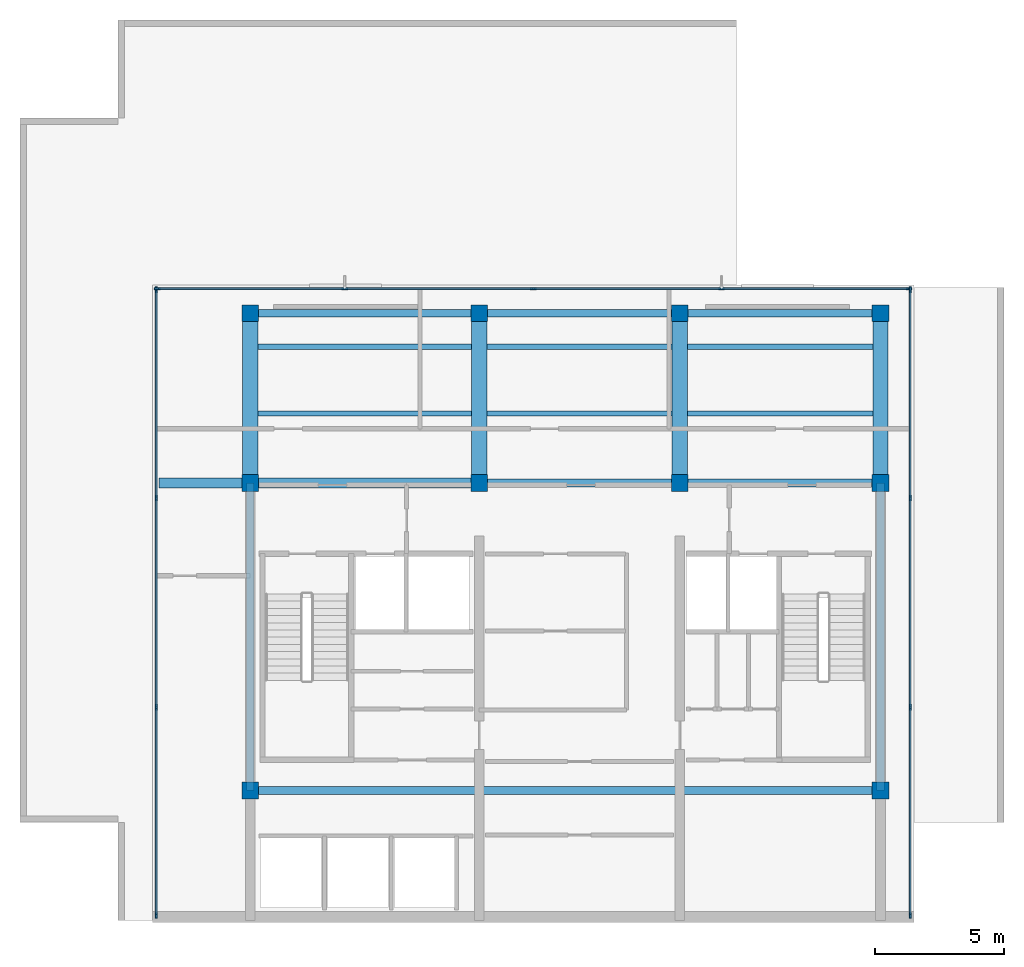
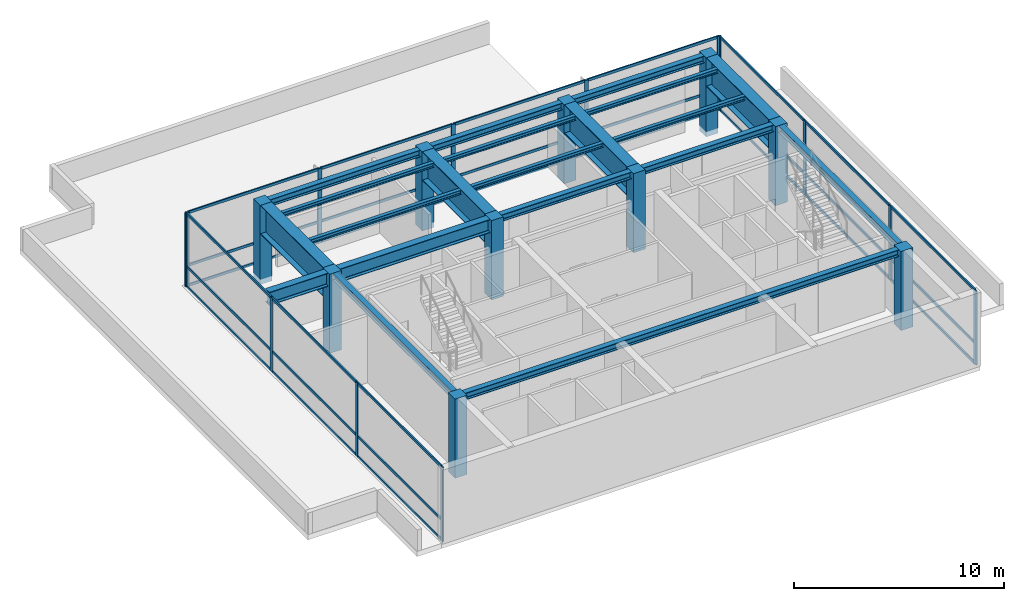
# One storey, part 1 of 6: 43 members, 19 beams, 10 columns, 3 elements without a shape of their own.
"""IFC4 building model written with IfcOpenShell, lengths in metres."""

from ifc_helpers import new_model, si_unit, direction, frame, origin, origin_2d, place, context, subcontext, project, spatial, rectangle, i_section, extrude, material, layer, layer_set, material_profile, profile_set, type_object, element, aggregate, save


model = new_model("IFC4")

# Units and contexts
model_context = context("Model", 3, precision=1e-05, world=origin(), true_north=direction((0.0, 1.0)))
body_context = subcontext(model_context, "Body", "Model", "MODEL_VIEW")
ifc_project = project(units=[si_unit("LENGTHUNIT", "METRE"), si_unit("AREAUNIT", "SQUARE_METRE"), si_unit("VOLUMEUNIT", "CUBIC_METRE"), si_unit("PLANEANGLEUNIT", "RADIAN"), si_unit("MASSUNIT", "GRAM", prefix="KILO")], contexts=[model_context])

# Site, building, storey
site_placement = place(None, origin())
site = spatial("IfcSite", under=ifc_project, at=site_placement, CompositionType="ELEMENT")
building_placement = place(site_placement, origin())
building = spatial("IfcBuilding", under=site, at=building_placement, Name="Qalmaran Belvedere Hotel", CompositionType="ELEMENT")
storey_placement = place(building_placement, frame((0.0, 0.0, 298.699951171875)))
storey = spatial("IfcBuildingStorey", under=building, at=storey_placement, Name="C01", CompositionType="ELEMENT", Elevation=298.699951171875)

# Columns
ifc_material_1 = material(Name="Concrete C50/60", Category="concrete")
ifc_material_profile_1 = material_profile(ifc_material_1, rectangle(XDim=0.64990234375, YDim=0.64990234375, at=origin_2d()), Name="CC650X650")
ifc_profile_set_1 = profile_set([ifc_material_profile_1], Name="Concrete C50/60")
column_type = type_object("IfcColumnType", Name="COL-CRN-CC650", PredefinedType="COLUMN", material=ifc_profile_set_1)
for number, where, z_axis, x_axis, name in (
    (1, (20.300048828125, 8.550048828125, -0.300048828125), (0.0, 0.0, 1.0), (1.0, 0.0, 0.0), "C01 Column C4C"),
    (2, (44.800048828125, 8.550048828125, -0.300048828125), (0.0, 0.0, 1.0), (1.0, 0.0, 0.0), "C01 Column C7C"),
    (3, (20.300048828125, 20.5, -0.300048828125), (0.0, 0.0, 1.0), (1.0, 0.0, 0.0), "C01 Column C4D"),
    (4, (29.199951171875, 20.5, -0.300048828125), (0.0, 0.0, 1.0), (1.0, 0.0, 0.0), "C01 Column C5D"),
    (5, (37.0, 20.5, -0.300048828125), (0.0, 0.0, 1.0), (1.0, 0.0, 0.0), "C01 Column C6D"),
    (6, (44.800048828125, 20.5, -0.300048828125), (0.0, 0.0, 1.0), (1.0, 0.0, 0.0), "C01 Column C7D"),
    (7, (20.300048828125, 27.10009765625, -0.300048828125), (0.0, 0.0, 1.0), (1.0, 0.0, 0.0), "C01 Column CN1"),
    (8, (29.199951171875, 27.10009765625, -0.300048828125), (0.0, 0.0, 1.0), (1.0, 0.0, 0.0), "C01 Column CN2"),
    (9, (37.0, 27.10009765625, -0.300048828125), (0.0, 0.0, 1.0), (1.0, 0.0, 0.0), "C01 Column CN3"),
    (10, (44.800048828125, 27.10009765625, -0.300048828125), (0.0, 0.0, 1.0), (1.0, 0.0, 0.0), "C01 Column CN4"),
):
    element("IfcColumn", number, at=place(storey_placement, frame(where, z_axis=z_axis, x_axis=x_axis)), inside=storey, type_object=column_type, Name=name, PredefinedType="COLUMN", context=body_context, shape_type="SweptSolid", body=[
        extrude(rectangle(XDim=0.64990234375, YDim=0.64990234375, at=origin_2d()), origin(), (0.0, 0.0, 1.0), 4.60009765625),
    ])

# Beams
ifc_material_2 = material(Name="Steel S355JR", Category="steel")
ifc_material_profile_2 = material_profile(ifc_material_2, i_section(OverallWidth=0.300048828125, OverallDepth=0.39990234375, WebThickness=0.013427734375, FlangeThickness=0.02392578125, FilletRadius=0.027099609375, at=origin_2d()), Name="HEB400")
ifc_profile_set_2 = profile_set([ifc_material_profile_2], Name="Steel S355JR")
beam_type_1 = type_object("IfcBeamType", Name="BM-CRN-HEB400", PredefinedType="BEAM", material=ifc_profile_set_2)
beam_1_placement = place(storey_placement, frame((20.300048828125, 8.550048828125, 4.10009765625), z_axis=(1.0, 0.0, 0.0), x_axis=(0.0, 1.0, 0.0)))
element("IfcBeam", 11, at=beam_1_placement, inside=storey, type_object=beam_type_1, Name="C01 Crown Frame Beam X01", PredefinedType="BEAM", context=body_context, shape_type="SweptSolid", body=[
    extrude(i_section(OverallWidth=0.300048828125, OverallDepth=0.39990234375, WebThickness=0.013427734375, FlangeThickness=0.02392578125, FilletRadius=0.027099609375, at=origin_2d()), origin(), (0.0, 0.0, 1.0), 24.5),
])
for number, where, z_axis, x_axis, name in (
    (12, (29.199951171875, 20.5, 4.10009765625), (1.0, 0.0, 0.0), (0.0, 1.0, 0.0), "C01 Crown Frame Beam X03"),
    (13, (37.0, 20.5, 4.10009765625), (1.0, 0.0, 0.0), (0.0, 1.0, 0.0), "C01 Crown Frame Beam X04"),
):
    element("IfcBeam", number, at=place(storey_placement, frame(where, z_axis=z_axis, x_axis=x_axis)), inside=storey, type_object=beam_type_1, Name=name, PredefinedType="BEAM", context=body_context, shape_type="SweptSolid", body=[
        extrude(i_section(OverallWidth=0.300048828125, OverallDepth=0.39990234375, WebThickness=0.013427734375, FlangeThickness=0.02392578125, FilletRadius=0.027099609375, at=origin_2d()), origin(), (0.0, 0.0, 1.0), 7.800048828125),
    ])
beam_2_placement = place(storey_placement, frame((20.300048828125, 27.10009765625, 4.10009765625), z_axis=(1.0, 0.0, 0.0), x_axis=(0.0, 1.0, 0.0)))
element("IfcBeam", 14, at=beam_2_placement, inside=storey, type_object=beam_type_1, Name="C01 Crown Frame Beam X05", PredefinedType="BEAM", context=body_context, shape_type="SweptSolid", body=[
    extrude(i_section(OverallWidth=0.300048828125, OverallDepth=0.39990234375, WebThickness=0.013427734375, FlangeThickness=0.02392578125, FilletRadius=0.027099609375, at=origin_2d()), origin(), (0.0, 0.0, 1.0), 8.89990234375),
])
for number, where, z_axis, x_axis, name in (
    (15, (29.199951171875, 27.10009765625, 4.10009765625), (1.0, 0.0, 0.0), (0.0, 1.0, 0.0), "C01 Crown Frame Beam X06"),
    (16, (37.0, 27.10009765625, 4.10009765625), (1.0, 0.0, 0.0), (0.0, 1.0, 0.0), "C01 Crown Frame Beam X07"),
):
    element("IfcBeam", number, at=place(storey_placement, frame(where, z_axis=z_axis, x_axis=x_axis)), inside=storey, type_object=beam_type_1, Name=name, PredefinedType="BEAM", context=body_context, shape_type="SweptSolid", body=[
        extrude(i_section(OverallWidth=0.300048828125, OverallDepth=0.39990234375, WebThickness=0.013427734375, FlangeThickness=0.02392578125, FilletRadius=0.027099609375, at=origin_2d()), origin(), (0.0, 0.0, 1.0), 7.800048828125),
    ])
for number, where, z_axis, x_axis, name in (
    (17, (20.300048828125, 8.550048828125, 4.10009765625), (0.0, 1.0, 0.0), (-1.0, 0.0, 0.0), "C01 Crown Frame Beam Y08"),
    (18, (44.800048828125, 8.550048828125, 4.10009765625), (0.0, 1.0, 0.0), (-1.0, 0.0, 0.0), "C01 Crown Frame Beam Y12"),
):
    element("IfcBeam", number, at=place(storey_placement, frame(where, z_axis=z_axis, x_axis=x_axis)), inside=storey, type_object=beam_type_1, Name=name, PredefinedType="BEAM", context=body_context, shape_type="SweptSolid", body=[
        extrude(i_section(OverallWidth=0.300048828125, OverallDepth=0.39990234375, WebThickness=0.013427734375, FlangeThickness=0.02392578125, FilletRadius=0.027099609375, at=origin_2d()), origin(), (0.0, 0.0, 1.0), 11.949951171875),
    ])
ifc_material_profile_3 = material_profile(ifc_material_2, i_section(OverallWidth=0.201904296875, OverallDepth=0.2470703125, WebThickness=0.00732421875, FlangeThickness=0.010986328125, FilletRadius=0.011962890625, at=origin_2d()), Name="W250X49")
ifc_profile_set_3 = profile_set([ifc_material_profile_3], Name="Steel S355JR")
beam_type_2 = type_object("IfcBeamType", Name="BM-JST-W250X49", PredefinedType="JOIST", material=ifc_profile_set_3)
beam_3_placement = place(storey_placement, frame((20.597900390625, 23.199951171875, 4.176513671875), z_axis=(1.0, 0.0, 0.0), x_axis=(0.0, 1.0, 0.0)))
element("IfcBeam", 19, at=beam_3_placement, inside=storey, type_object=beam_type_2, Name="C01 Crown Plant Deck Joist 14", PredefinedType="JOIST", context=body_context, shape_type="SweptSolid", body=[
    extrude(i_section(OverallWidth=0.201904296875, OverallDepth=0.2470703125, WebThickness=0.00732421875, FlangeThickness=0.010986328125, FilletRadius=0.011962890625, at=origin_2d()), origin(), (0.0, 0.0, 1.0), 8.30419921875),
])
for number, where, z_axis, x_axis, name in (
    (20, (29.498046875, 23.199951171875, 4.176513671875), (1.0, 0.0, 0.0), (0.0, 1.0, 0.0), "C01 Crown Plant Deck Joist 15"),
    (21, (37.298095703125, 23.199951171875, 4.176513671875), (1.0, 0.0, 0.0), (0.0, 1.0, 0.0), "C01 Crown Plant Deck Joist 16"),
):
    element("IfcBeam", number, at=place(storey_placement, frame(where, z_axis=z_axis, x_axis=x_axis)), inside=storey, type_object=beam_type_2, Name=name, PredefinedType="JOIST", context=body_context, shape_type="SweptSolid", body=[
        extrude(i_section(OverallWidth=0.201904296875, OverallDepth=0.2470703125, WebThickness=0.00732421875, FlangeThickness=0.010986328125, FilletRadius=0.011962890625, at=origin_2d()), origin(), (0.0, 0.0, 1.0), 7.203857421875),
    ])
beam_4_placement = place(storey_placement, frame((20.597900390625, 25.800048828125, 4.176513671875), z_axis=(1.0, 0.0, 0.0), x_axis=(0.0, 1.0, 0.0)))
element("IfcBeam", 22, at=beam_4_placement, inside=storey, type_object=beam_type_2, Name="C01 Crown Plant Deck Joist 17", PredefinedType="JOIST", context=body_context, shape_type="SweptSolid", body=[
    extrude(i_section(OverallWidth=0.201904296875, OverallDepth=0.2470703125, WebThickness=0.00732421875, FlangeThickness=0.010986328125, FilletRadius=0.011962890625, at=origin_2d()), origin(), (0.0, 0.0, 1.0), 8.30419921875),
])
for number, where, z_axis, x_axis, name in (
    (23, (29.498046875, 25.800048828125, 4.176513671875), (1.0, 0.0, 0.0), (0.0, 1.0, 0.0), "C01 Crown Plant Deck Joist 18"),
    (24, (37.298095703125, 25.800048828125, 4.176513671875), (1.0, 0.0, 0.0), (0.0, 1.0, 0.0), "C01 Crown Plant Deck Joist 19"),
):
    element("IfcBeam", number, at=place(storey_placement, frame(where, z_axis=z_axis, x_axis=x_axis)), inside=storey, type_object=beam_type_2, Name=name, PredefinedType="JOIST", context=body_context, shape_type="SweptSolid", body=[
        extrude(i_section(OverallWidth=0.201904296875, OverallDepth=0.2470703125, WebThickness=0.00732421875, FlangeThickness=0.010986328125, FilletRadius=0.011962890625, at=origin_2d()), origin(), (0.0, 0.0, 1.0), 7.203857421875),
    ])
ifc_material_profile_4 = material_profile(ifc_material_2, i_section(OverallWidth=0.381103515625, OverallDepth=0.77294921875, WebThickness=0.0166015625, FlangeThickness=0.027099609375, FilletRadius=0.02197265625, at=origin_2d()), Name="W760X257")
ifc_profile_set_4 = profile_set([ifc_material_profile_4], Name="Steel S355JR")
beam_type_3 = type_object("IfcBeamType", Name="BM-PG4-W760X257", PredefinedType="USERDEFINED", material=ifc_profile_set_4)
beam_5_placement = place(storey_placement, frame((16.75, 20.5, 3.91357421875), z_axis=(1.0, 0.0, 0.0), x_axis=(0.0, 1.0, 0.0)))
element("IfcBeam", 25, at=beam_5_placement, inside=storey, type_object=beam_type_3, Name="C01 Crown Back-Spanned Overhang Girder 02", ObjectType="GIRDER", PredefinedType="USERDEFINED", context=body_context, shape_type="SweptSolid", body=[
    extrude(i_section(OverallWidth=0.381103515625, OverallDepth=0.77294921875, WebThickness=0.0166015625, FlangeThickness=0.027099609375, FilletRadius=0.02197265625, at=origin_2d()), origin(), (0.0, 0.0, 1.0), 12.449951171875),
])
ifc_material_profile_5 = material_profile(ifc_material_2, i_section(OverallWidth=0.60009765625, OverallDepth=1.679931640625, WebThickness=0.02587890625, FlangeThickness=0.035888671875, at=origin_2d()), Name="PG1680X600X36")
ifc_profile_set_5 = profile_set([ifc_material_profile_5], Name="Steel S355JR")
beam_type_4 = type_object("IfcBeamType", Name="BM-TG5-PG1680X600", PredefinedType="USERDEFINED", material=ifc_profile_set_5)
for number, where, z_axis, x_axis, name in (
    (26, (20.300048828125, 20.5, 3.4599609375), (0.0, 1.0, 0.0), (-1.0, 0.0, 0.0), "C01 Crown Frame Beam Y09"),
    (27, (29.199951171875, 20.5, 3.4599609375), (0.0, 1.0, 0.0), (-1.0, 0.0, 0.0), "C01 Crown Frame Beam Y10"),
    (28, (37.0, 20.5, 3.4599609375), (0.0, 1.0, 0.0), (-1.0, 0.0, 0.0), "C01 Crown Frame Beam Y11"),
    (29, (44.800048828125, 20.5, 3.4599609375), (0.0, 1.0, 0.0), (-1.0, 0.0, 0.0), "C01 Crown Frame Beam Y13"),
):
    element("IfcBeam", number, at=place(storey_placement, frame(where, z_axis=z_axis, x_axis=x_axis)), inside=storey, type_object=beam_type_4, Name=name, ObjectType="GIRDER", PredefinedType="USERDEFINED", context=body_context, shape_type="SweptSolid", body=[
        extrude(i_section(OverallWidth=0.60009765625, OverallDepth=1.679931640625, WebThickness=0.02587890625, FlangeThickness=0.035888671875, at=origin_2d()), origin(), (0.0, 0.0, 1.0), 6.60009765625),
    ])

# Curtain wall, members
ifc_material_3 = material(Name="Anodised Bronze Aluminium", Category="aluminium")
ifc_layer = layer(ifc_material_3, 0.205078125, Name="Anodised Bronze Aluminium")
ifc_layer_set = layer_set([ifc_layer], Name="Anodised Bronze Aluminium")
curtain_wall_type = type_object("IfcCurtainWallType", Name="CW7-CROWN-BELVEDERE", PredefinedType="NOTDEFINED", material=ifc_layer_set)
curtain_wall_1_placement = place(storey_placement, origin())
curtain_wall_1 = element("IfcCurtainWall", 30, at=curtain_wall_1_placement, inside=storey, type_object=curtain_wall_type, Name="C01 Curtain Wall CW7", PredefinedType="NOTDEFINED")
ifc_material_profile_6 = material_profile(ifc_material_3, rectangle(XDim=0.074951171875, YDim=0.219970703125, at=origin_2d()), Name="CWM75X220")
ifc_profile_set_6 = profile_set([ifc_material_profile_6], Name="Anodised Bronze Aluminium")
member_type_1 = type_object("IfcMemberType", Name="CWM-75X220", PredefinedType="MULLION", material=ifc_profile_set_6)
member_1_placement = place(storey_placement, frame((45.91259765625, 28.050048828125, 0.0), z_axis=(0.0, 0.0, 1.0), x_axis=(0.0, -1.0, 0.0)))
member_1 = element("IfcMember", 31, at=member_1_placement, type_object=member_type_1, Name="CW7 mullion 1", PredefinedType="MULLION", context=body_context, shape_type="SweptSolid", body=[
    extrude(rectangle(XDim=0.074951171875, YDim=0.219970703125, at=origin_2d()), origin(), (0.0, 0.0, 1.0), 4.300048828125),
])
member_2_placement = place(storey_placement, frame((38.625, 28.050048828125, 0.0), z_axis=(0.0, 0.0, 1.0), x_axis=(0.0, -1.0, 0.0)))
member_2 = element("IfcMember", 32, at=member_2_placement, type_object=member_type_1, Name="CW7 mullion 2", PredefinedType="MULLION", context=body_context, shape_type="SweptSolid", body=[
    extrude(rectangle(XDim=0.074951171875, YDim=0.219970703125, at=origin_2d()), origin(), (0.0, 0.0, 1.0), 4.300048828125),
])
member_3_placement = place(storey_placement, frame((31.300048828125, 28.050048828125, 0.0), z_axis=(0.0, 0.0, 1.0), x_axis=(0.0, -1.0, 0.0)))
member_3 = element("IfcMember", 33, at=member_3_placement, type_object=member_type_1, Name="CW7 mullion 3", PredefinedType="MULLION", context=body_context, shape_type="SweptSolid", body=[
    extrude(rectangle(XDim=0.074951171875, YDim=0.219970703125, at=origin_2d()), origin(), (0.0, 0.0, 1.0), 4.300048828125),
])
member_4_placement = place(storey_placement, frame((23.97509765625, 28.050048828125, 0.0), z_axis=(0.0, 0.0, 1.0), x_axis=(0.0, -1.0, 0.0)))
member_4 = element("IfcMember", 34, at=member_4_placement, type_object=member_type_1, Name="CW7 mullion 4", PredefinedType="MULLION", context=body_context, shape_type="SweptSolid", body=[
    extrude(rectangle(XDim=0.074951171875, YDim=0.219970703125, at=origin_2d()), origin(), (0.0, 0.0, 1.0), 4.300048828125),
])
member_5_placement = place(storey_placement, frame((16.6875, 28.050048828125, 0.0), z_axis=(0.0, 0.0, 1.0), x_axis=(0.0, -1.0, 0.0)))
member_5 = element("IfcMember", 35, at=member_5_placement, type_object=member_type_1, Name="CW7 mullion 5", PredefinedType="MULLION", context=body_context, shape_type="SweptSolid", body=[
    extrude(rectangle(XDim=0.074951171875, YDim=0.219970703125, at=origin_2d()), origin(), (0.0, 0.0, 1.0), 4.300048828125),
])

curtain_wall_2_placement = place(storey_placement, origin())
curtain_wall_2 = element("IfcCurtainWall", 36, at=curtain_wall_2_placement, inside=storey, type_object=curtain_wall_type, Name="C01 Curtain Wall CW7", PredefinedType="NOTDEFINED")
member_6_placement = place(storey_placement, frame((16.64990234375, 28.012451171875, 0.0), z_axis=(0.0, 0.0, 1.0), x_axis=(1.0, 0.0, 0.0)))
member_6 = element("IfcMember", 37, at=member_6_placement, type_object=member_type_1, Name="CW7 mullion 1", PredefinedType="MULLION", context=body_context, shape_type="SweptSolid", body=[
    extrude(rectangle(XDim=0.074951171875, YDim=0.219970703125, at=origin_2d()), origin(), (0.0, 0.0, 1.0), 4.300048828125),
])
member_7_placement = place(storey_placement, frame((16.64990234375, 19.916748046875, 0.0), z_axis=(0.0, 0.0, 1.0), x_axis=(1.0, 0.0, 0.0)))
member_7 = element("IfcMember", 38, at=member_7_placement, type_object=member_type_1, Name="CW7 mullion 2", PredefinedType="MULLION", context=body_context, shape_type="SweptSolid", body=[
    extrude(rectangle(XDim=0.074951171875, YDim=0.219970703125, at=origin_2d()), origin(), (0.0, 0.0, 1.0), 4.300048828125),
])
member_8_placement = place(storey_placement, frame((16.64990234375, 11.783447265625, 0.0), z_axis=(0.0, 0.0, 1.0), x_axis=(1.0, 0.0, 0.0)))
member_8 = element("IfcMember", 39, at=member_8_placement, type_object=member_type_1, Name="CW7 mullion 3", PredefinedType="MULLION", context=body_context, shape_type="SweptSolid", body=[
    extrude(rectangle(XDim=0.074951171875, YDim=0.219970703125, at=origin_2d()), origin(), (0.0, 0.0, 1.0), 4.300048828125),
])
member_9_placement = place(storey_placement, frame((16.64990234375, 3.6875, 0.0), z_axis=(0.0, 0.0, 1.0), x_axis=(1.0, 0.0, 0.0)))
member_9 = element("IfcMember", 40, at=member_9_placement, type_object=member_type_1, Name="CW7 mullion 4", PredefinedType="MULLION", context=body_context, shape_type="SweptSolid", body=[
    extrude(rectangle(XDim=0.074951171875, YDim=0.219970703125, at=origin_2d()), origin(), (0.0, 0.0, 1.0), 4.300048828125),
])

curtain_wall_3_placement = place(storey_placement, origin())
curtain_wall_3 = element("IfcCurtainWall", 41, at=curtain_wall_3_placement, inside=storey, type_object=curtain_wall_type, Name="C01 Curtain Wall CW7", PredefinedType="NOTDEFINED")
member_10_placement = place(storey_placement, frame((45.949951171875, 3.6875, 0.0), z_axis=(0.0, 0.0, 1.0), x_axis=(-1.0, 0.0, 0.0)))
member_10 = element("IfcMember", 42, at=member_10_placement, type_object=member_type_1, Name="CW7 mullion 1", PredefinedType="MULLION", context=body_context, shape_type="SweptSolid", body=[
    extrude(rectangle(XDim=0.074951171875, YDim=0.219970703125, at=origin_2d()), origin(), (0.0, 0.0, 1.0), 4.300048828125),
])
member_11_placement = place(storey_placement, frame((45.949951171875, 11.783447265625, 0.0), z_axis=(0.0, 0.0, 1.0), x_axis=(-1.0, 0.0, 0.0)))
member_11 = element("IfcMember", 43, at=member_11_placement, type_object=member_type_1, Name="CW7 mullion 2", PredefinedType="MULLION", context=body_context, shape_type="SweptSolid", body=[
    extrude(rectangle(XDim=0.074951171875, YDim=0.219970703125, at=origin_2d()), origin(), (0.0, 0.0, 1.0), 4.300048828125),
])
member_12_placement = place(storey_placement, frame((45.949951171875, 19.916748046875, 0.0), z_axis=(0.0, 0.0, 1.0), x_axis=(-1.0, 0.0, 0.0)))
member_12 = element("IfcMember", 44, at=member_12_placement, type_object=member_type_1, Name="CW7 mullion 3", PredefinedType="MULLION", context=body_context, shape_type="SweptSolid", body=[
    extrude(rectangle(XDim=0.074951171875, YDim=0.219970703125, at=origin_2d()), origin(), (0.0, 0.0, 1.0), 4.300048828125),
])
member_13_placement = place(storey_placement, frame((45.949951171875, 28.012451171875, 0.0), z_axis=(0.0, 0.0, 1.0), x_axis=(-1.0, 0.0, 0.0)))
member_13 = element("IfcMember", 45, at=member_13_placement, type_object=member_type_1, Name="CW7 mullion 4", PredefinedType="MULLION", context=body_context, shape_type="SweptSolid", body=[
    extrude(rectangle(XDim=0.074951171875, YDim=0.219970703125, at=origin_2d()), origin(), (0.0, 0.0, 1.0), 4.300048828125),
])

# Member
ifc_material_profile_7 = material_profile(ifc_material_3, rectangle(XDim=0.070068359375, YDim=0.14990234375, at=origin_2d()), Name="CWT70X150")
ifc_profile_set_7 = profile_set([ifc_material_profile_7], Name="Anodised Bronze Aluminium")
member_type_2 = type_object("IfcMemberType", Name="CWT-70X150", PredefinedType="USERDEFINED", material=ifc_profile_set_7)
member_14_placement = place(storey_placement, frame((45.875, 28.050048828125, 0.03515625), z_axis=(-1.0, 0.0, 0.0), x_axis=(0.0, -1.0, 0.0)))
member_14 = element("IfcMember", 46, at=member_14_placement, type_object=member_type_2, Name="CW7 transom 1.1", ObjectType="TRANSOM", PredefinedType="USERDEFINED", context=body_context, shape_type="SweptSolid", body=[
    extrude(rectangle(XDim=0.070068359375, YDim=0.14990234375, at=origin_2d()), origin(), (0.0, 0.0, 1.0), 7.21240234375),
])

member_15_placement = place(storey_placement, frame((45.875, 28.050048828125, 1.2041015625), z_axis=(-1.0, 0.0, 0.0), x_axis=(0.0, -1.0, 0.0)))
member_15 = element("IfcMember", 47, at=member_15_placement, type_object=member_type_2, Name="CW7 transom 1.2", ObjectType="TRANSOM", PredefinedType="USERDEFINED", context=body_context, shape_type="SweptSolid", body=[
    extrude(rectangle(XDim=0.070068359375, YDim=0.14990234375, at=origin_2d()), origin(), (0.0, 0.0, 1.0), 7.21240234375),
])

member_16_placement = place(storey_placement, frame((45.875, 28.050048828125, 4.26513671875), z_axis=(-1.0, 0.0, 0.0), x_axis=(0.0, -1.0, 0.0)))
member_16 = element("IfcMember", 48, at=member_16_placement, type_object=member_type_2, Name="CW7 transom 1.3", ObjectType="TRANSOM", PredefinedType="USERDEFINED", context=body_context, shape_type="SweptSolid", body=[
    extrude(rectangle(XDim=0.070068359375, YDim=0.14990234375, at=origin_2d()), origin(), (0.0, 0.0, 1.0), 7.21240234375),
])

member_17_placement = place(storey_placement, frame((38.58740234375, 28.050048828125, 0.03515625), z_axis=(-1.0, 0.0, 0.0), x_axis=(0.0, -1.0, 0.0)))
member_17 = element("IfcMember", 49, at=member_17_placement, type_object=member_type_2, Name="CW7 transom 2.1", ObjectType="TRANSOM", PredefinedType="USERDEFINED", context=body_context, shape_type="SweptSolid", body=[
    extrude(rectangle(XDim=0.070068359375, YDim=0.14990234375, at=origin_2d()), origin(), (0.0, 0.0, 1.0), 7.25),
])

member_18_placement = place(storey_placement, frame((38.58740234375, 28.050048828125, 1.2041015625), z_axis=(-1.0, 0.0, 0.0), x_axis=(0.0, -1.0, 0.0)))
member_18 = element("IfcMember", 50, at=member_18_placement, type_object=member_type_2, Name="CW7 transom 2.2", ObjectType="TRANSOM", PredefinedType="USERDEFINED", context=body_context, shape_type="SweptSolid", body=[
    extrude(rectangle(XDim=0.070068359375, YDim=0.14990234375, at=origin_2d()), origin(), (0.0, 0.0, 1.0), 7.25),
])

member_19_placement = place(storey_placement, frame((38.58740234375, 28.050048828125, 4.26513671875), z_axis=(-1.0, 0.0, 0.0), x_axis=(0.0, -1.0, 0.0)))
member_19 = element("IfcMember", 51, at=member_19_placement, type_object=member_type_2, Name="CW7 transom 2.3", ObjectType="TRANSOM", PredefinedType="USERDEFINED", context=body_context, shape_type="SweptSolid", body=[
    extrude(rectangle(XDim=0.070068359375, YDim=0.14990234375, at=origin_2d()), origin(), (0.0, 0.0, 1.0), 7.25),
])

member_20_placement = place(storey_placement, frame((31.262451171875, 28.050048828125, 0.03515625), z_axis=(-1.0, 0.0, 0.0), x_axis=(0.0, -1.0, 0.0)))
member_20 = element("IfcMember", 52, at=member_20_placement, type_object=member_type_2, Name="CW7 transom 3.1", ObjectType="TRANSOM", PredefinedType="USERDEFINED", context=body_context, shape_type="SweptSolid", body=[
    extrude(rectangle(XDim=0.070068359375, YDim=0.14990234375, at=origin_2d()), origin(), (0.0, 0.0, 1.0), 7.25),
])

member_21_placement = place(storey_placement, frame((31.262451171875, 28.050048828125, 1.2041015625), z_axis=(-1.0, 0.0, 0.0), x_axis=(0.0, -1.0, 0.0)))
member_21 = element("IfcMember", 53, at=member_21_placement, type_object=member_type_2, Name="CW7 transom 3.2", ObjectType="TRANSOM", PredefinedType="USERDEFINED", context=body_context, shape_type="SweptSolid", body=[
    extrude(rectangle(XDim=0.070068359375, YDim=0.14990234375, at=origin_2d()), origin(), (0.0, 0.0, 1.0), 7.25),
])

member_22_placement = place(storey_placement, frame((31.262451171875, 28.050048828125, 4.26513671875), z_axis=(-1.0, 0.0, 0.0), x_axis=(0.0, -1.0, 0.0)))
member_22 = element("IfcMember", 54, at=member_22_placement, type_object=member_type_2, Name="CW7 transom 3.3", ObjectType="TRANSOM", PredefinedType="USERDEFINED", context=body_context, shape_type="SweptSolid", body=[
    extrude(rectangle(XDim=0.070068359375, YDim=0.14990234375, at=origin_2d()), origin(), (0.0, 0.0, 1.0), 7.25),
])

member_23_placement = place(storey_placement, frame((23.9375, 28.050048828125, 0.03515625), z_axis=(-1.0, 0.0, 0.0), x_axis=(0.0, -1.0, 0.0)))
member_23 = element("IfcMember", 55, at=member_23_placement, type_object=member_type_2, Name="CW7 transom 4.1", ObjectType="TRANSOM", PredefinedType="USERDEFINED", context=body_context, shape_type="SweptSolid", body=[
    extrude(rectangle(XDim=0.070068359375, YDim=0.14990234375, at=origin_2d()), origin(), (0.0, 0.0, 1.0), 7.21240234375),
])

member_24_placement = place(storey_placement, frame((23.9375, 28.050048828125, 1.2041015625), z_axis=(-1.0, 0.0, 0.0), x_axis=(0.0, -1.0, 0.0)))
member_24 = element("IfcMember", 56, at=member_24_placement, type_object=member_type_2, Name="CW7 transom 4.2", ObjectType="TRANSOM", PredefinedType="USERDEFINED", context=body_context, shape_type="SweptSolid", body=[
    extrude(rectangle(XDim=0.070068359375, YDim=0.14990234375, at=origin_2d()), origin(), (0.0, 0.0, 1.0), 7.21240234375),
])

member_25_placement = place(storey_placement, frame((23.9375, 28.050048828125, 4.26513671875), z_axis=(-1.0, 0.0, 0.0), x_axis=(0.0, -1.0, 0.0)))
member_25 = element("IfcMember", 57, at=member_25_placement, type_object=member_type_2, Name="CW7 transom 4.3", ObjectType="TRANSOM", PredefinedType="USERDEFINED", context=body_context, shape_type="SweptSolid", body=[
    extrude(rectangle(XDim=0.070068359375, YDim=0.14990234375, at=origin_2d()), origin(), (0.0, 0.0, 1.0), 7.21240234375),
])

aggregate(curtain_wall_1, [member_1, member_2, member_3, member_4, member_5, member_14, member_15, member_16, member_17, member_18, member_19, member_20, member_21, member_22, member_23, member_24, member_25])

member_26_placement = place(storey_placement, frame((16.64990234375, 27.97509765625, 0.03515625), z_axis=(0.0, -1.0, 0.0), x_axis=(1.0, 0.0, 0.0)))
member_26 = element("IfcMember", 58, at=member_26_placement, type_object=member_type_2, Name="CW7 transom 1.1", ObjectType="TRANSOM", PredefinedType="USERDEFINED", context=body_context, shape_type="SweptSolid", body=[
    extrude(rectangle(XDim=0.070068359375, YDim=0.14990234375, at=origin_2d()), origin(), (0.0, 0.0, 1.0), 8.02099609375),
])

member_27_placement = place(storey_placement, frame((16.64990234375, 27.97509765625, 1.2041015625), z_axis=(0.0, -1.0, 0.0), x_axis=(1.0, 0.0, 0.0)))
member_27 = element("IfcMember", 59, at=member_27_placement, type_object=member_type_2, Name="CW7 transom 1.2", ObjectType="TRANSOM", PredefinedType="USERDEFINED", context=body_context, shape_type="SweptSolid", body=[
    extrude(rectangle(XDim=0.070068359375, YDim=0.14990234375, at=origin_2d()), origin(), (0.0, 0.0, 1.0), 8.02099609375),
])

member_28_placement = place(storey_placement, frame((16.64990234375, 27.97509765625, 4.26513671875), z_axis=(0.0, -1.0, 0.0), x_axis=(1.0, 0.0, 0.0)))
member_28 = element("IfcMember", 60, at=member_28_placement, type_object=member_type_2, Name="CW7 transom 1.3", ObjectType="TRANSOM", PredefinedType="USERDEFINED", context=body_context, shape_type="SweptSolid", body=[
    extrude(rectangle(XDim=0.070068359375, YDim=0.14990234375, at=origin_2d()), origin(), (0.0, 0.0, 1.0), 8.02099609375),
])

member_29_placement = place(storey_placement, frame((16.64990234375, 19.879150390625, 0.03515625), z_axis=(0.0, -1.0, 0.0), x_axis=(1.0, 0.0, 0.0)))
member_29 = element("IfcMember", 61, at=member_29_placement, type_object=member_type_2, Name="CW7 transom 2.1", ObjectType="TRANSOM", PredefinedType="USERDEFINED", context=body_context, shape_type="SweptSolid", body=[
    extrude(rectangle(XDim=0.070068359375, YDim=0.14990234375, at=origin_2d()), origin(), (0.0, 0.0, 1.0), 8.058349609375),
])

member_30_placement = place(storey_placement, frame((16.64990234375, 19.879150390625, 1.2041015625), z_axis=(0.0, -1.0, 0.0), x_axis=(1.0, 0.0, 0.0)))
member_30 = element("IfcMember", 62, at=member_30_placement, type_object=member_type_2, Name="CW7 transom 2.2", ObjectType="TRANSOM", PredefinedType="USERDEFINED", context=body_context, shape_type="SweptSolid", body=[
    extrude(rectangle(XDim=0.070068359375, YDim=0.14990234375, at=origin_2d()), origin(), (0.0, 0.0, 1.0), 8.058349609375),
])

member_31_placement = place(storey_placement, frame((16.64990234375, 19.879150390625, 4.26513671875), z_axis=(0.0, -1.0, 0.0), x_axis=(1.0, 0.0, 0.0)))
member_31 = element("IfcMember", 63, at=member_31_placement, type_object=member_type_2, Name="CW7 transom 2.3", ObjectType="TRANSOM", PredefinedType="USERDEFINED", context=body_context, shape_type="SweptSolid", body=[
    extrude(rectangle(XDim=0.070068359375, YDim=0.14990234375, at=origin_2d()), origin(), (0.0, 0.0, 1.0), 8.058349609375),
])

member_32_placement = place(storey_placement, frame((16.64990234375, 11.745849609375, 0.03515625), z_axis=(0.0, -1.0, 0.0), x_axis=(1.0, 0.0, 0.0)))
member_32 = element("IfcMember", 64, at=member_32_placement, type_object=member_type_2, Name="CW7 transom 3.1", ObjectType="TRANSOM", PredefinedType="USERDEFINED", context=body_context, shape_type="SweptSolid", body=[
    extrude(rectangle(XDim=0.070068359375, YDim=0.14990234375, at=origin_2d()), origin(), (0.0, 0.0, 1.0), 8.020751953125),
])

member_33_placement = place(storey_placement, frame((16.64990234375, 11.745849609375, 1.2041015625), z_axis=(0.0, -1.0, 0.0), x_axis=(1.0, 0.0, 0.0)))
member_33 = element("IfcMember", 65, at=member_33_placement, type_object=member_type_2, Name="CW7 transom 3.2", ObjectType="TRANSOM", PredefinedType="USERDEFINED", context=body_context, shape_type="SweptSolid", body=[
    extrude(rectangle(XDim=0.070068359375, YDim=0.14990234375, at=origin_2d()), origin(), (0.0, 0.0, 1.0), 8.020751953125),
])

member_34_placement = place(storey_placement, frame((16.64990234375, 11.745849609375, 4.26513671875), z_axis=(0.0, -1.0, 0.0), x_axis=(1.0, 0.0, 0.0)))
member_34 = element("IfcMember", 66, at=member_34_placement, type_object=member_type_2, Name="CW7 transom 3.3", ObjectType="TRANSOM", PredefinedType="USERDEFINED", context=body_context, shape_type="SweptSolid", body=[
    extrude(rectangle(XDim=0.070068359375, YDim=0.14990234375, at=origin_2d()), origin(), (0.0, 0.0, 1.0), 8.020751953125),
])

aggregate(curtain_wall_2, [member_6, member_7, member_8, member_9, member_26, member_27, member_28, member_29, member_30, member_31, member_32, member_33, member_34])

member_35_placement = place(storey_placement, frame((45.949951171875, 3.72509765625, 0.03515625), z_axis=(0.0, 1.0, 0.0), x_axis=(-1.0, 0.0, 0.0)))
member_35 = element("IfcMember", 67, at=member_35_placement, type_object=member_type_2, Name="CW7 transom 1.1", ObjectType="TRANSOM", PredefinedType="USERDEFINED", context=body_context, shape_type="SweptSolid", body=[
    extrude(rectangle(XDim=0.070068359375, YDim=0.14990234375, at=origin_2d()), origin(), (0.0, 0.0, 1.0), 8.020751953125),
])

member_36_placement = place(storey_placement, frame((45.949951171875, 3.72509765625, 1.2041015625), z_axis=(0.0, 1.0, 0.0), x_axis=(-1.0, 0.0, 0.0)))
member_36 = element("IfcMember", 68, at=member_36_placement, type_object=member_type_2, Name="CW7 transom 1.2", ObjectType="TRANSOM", PredefinedType="USERDEFINED", context=body_context, shape_type="SweptSolid", body=[
    extrude(rectangle(XDim=0.070068359375, YDim=0.14990234375, at=origin_2d()), origin(), (0.0, 0.0, 1.0), 8.020751953125),
])

member_37_placement = place(storey_placement, frame((45.949951171875, 3.72509765625, 4.26513671875), z_axis=(0.0, 1.0, 0.0), x_axis=(-1.0, 0.0, 0.0)))
member_37 = element("IfcMember", 69, at=member_37_placement, type_object=member_type_2, Name="CW7 transom 1.3", ObjectType="TRANSOM", PredefinedType="USERDEFINED", context=body_context, shape_type="SweptSolid", body=[
    extrude(rectangle(XDim=0.070068359375, YDim=0.14990234375, at=origin_2d()), origin(), (0.0, 0.0, 1.0), 8.020751953125),
])

member_38_placement = place(storey_placement, frame((45.949951171875, 11.82080078125, 0.03515625), z_axis=(0.0, 1.0, 0.0), x_axis=(-1.0, 0.0, 0.0)))
member_38 = element("IfcMember", 70, at=member_38_placement, type_object=member_type_2, Name="CW7 transom 2.1", ObjectType="TRANSOM", PredefinedType="USERDEFINED", context=body_context, shape_type="SweptSolid", body=[
    extrude(rectangle(XDim=0.070068359375, YDim=0.14990234375, at=origin_2d()), origin(), (0.0, 0.0, 1.0), 8.058349609375),
])

member_39_placement = place(storey_placement, frame((45.949951171875, 11.82080078125, 1.2041015625), z_axis=(0.0, 1.0, 0.0), x_axis=(-1.0, 0.0, 0.0)))
member_39 = element("IfcMember", 71, at=member_39_placement, type_object=member_type_2, Name="CW7 transom 2.2", ObjectType="TRANSOM", PredefinedType="USERDEFINED", context=body_context, shape_type="SweptSolid", body=[
    extrude(rectangle(XDim=0.070068359375, YDim=0.14990234375, at=origin_2d()), origin(), (0.0, 0.0, 1.0), 8.058349609375),
])

member_40_placement = place(storey_placement, frame((45.949951171875, 11.82080078125, 4.26513671875), z_axis=(0.0, 1.0, 0.0), x_axis=(-1.0, 0.0, 0.0)))
member_40 = element("IfcMember", 72, at=member_40_placement, type_object=member_type_2, Name="CW7 transom 2.3", ObjectType="TRANSOM", PredefinedType="USERDEFINED", context=body_context, shape_type="SweptSolid", body=[
    extrude(rectangle(XDim=0.070068359375, YDim=0.14990234375, at=origin_2d()), origin(), (0.0, 0.0, 1.0), 8.058349609375),
])

member_41_placement = place(storey_placement, frame((45.949951171875, 19.9541015625, 0.03515625), z_axis=(0.0, 1.0, 0.0), x_axis=(-1.0, 0.0, 0.0)))
member_41 = element("IfcMember", 73, at=member_41_placement, type_object=member_type_2, Name="CW7 transom 3.1", ObjectType="TRANSOM", PredefinedType="USERDEFINED", context=body_context, shape_type="SweptSolid", body=[
    extrude(rectangle(XDim=0.070068359375, YDim=0.14990234375, at=origin_2d()), origin(), (0.0, 0.0, 1.0), 8.02099609375),
])

member_42_placement = place(storey_placement, frame((45.949951171875, 19.9541015625, 1.2041015625), z_axis=(0.0, 1.0, 0.0), x_axis=(-1.0, 0.0, 0.0)))
member_42 = element("IfcMember", 74, at=member_42_placement, type_object=member_type_2, Name="CW7 transom 3.2", ObjectType="TRANSOM", PredefinedType="USERDEFINED", context=body_context, shape_type="SweptSolid", body=[
    extrude(rectangle(XDim=0.070068359375, YDim=0.14990234375, at=origin_2d()), origin(), (0.0, 0.0, 1.0), 8.02099609375),
])

member_43_placement = place(storey_placement, frame((45.949951171875, 19.9541015625, 4.26513671875), z_axis=(0.0, 1.0, 0.0), x_axis=(-1.0, 0.0, 0.0)))
member_43 = element("IfcMember", 75, at=member_43_placement, type_object=member_type_2, Name="CW7 transom 3.3", ObjectType="TRANSOM", PredefinedType="USERDEFINED", context=body_context, shape_type="SweptSolid", body=[
    extrude(rectangle(XDim=0.070068359375, YDim=0.14990234375, at=origin_2d()), origin(), (0.0, 0.0, 1.0), 8.02099609375),
])

aggregate(curtain_wall_3, [member_10, member_11, member_12, member_13, member_35, member_36, member_37, member_38, member_39, member_40, member_41, member_42, member_43])

save(model, "model.ifc")
